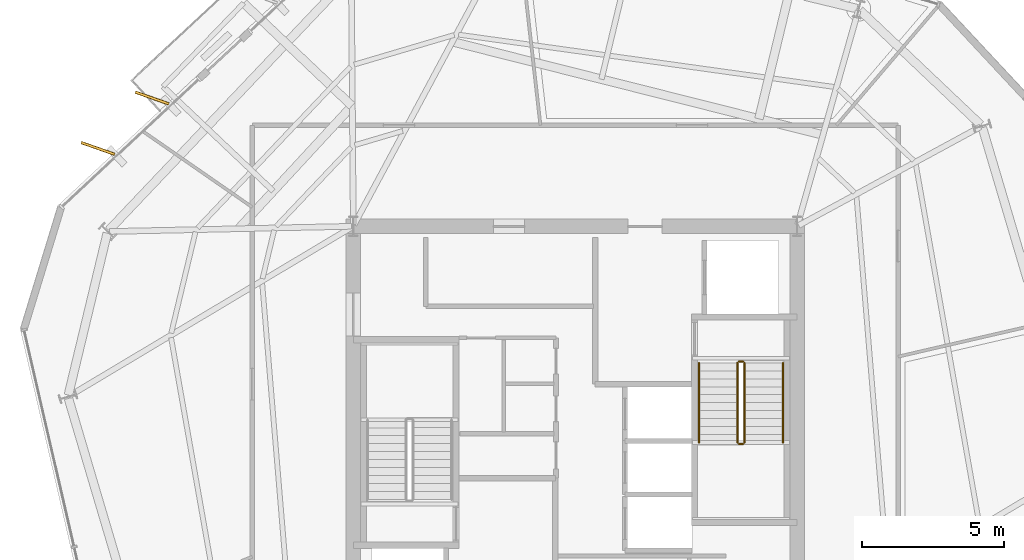
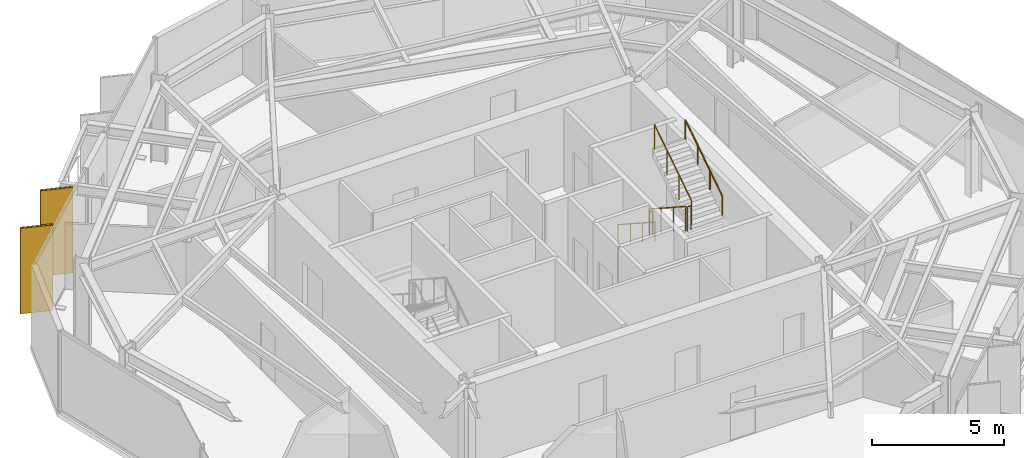
# One storey, part 10 of 11: 6 railings, 2 coverings, 2 shading devices.
"""IFC4 building model written with IfcOpenShell, lengths in metres."""

import ifcopenshell
import ifcopenshell.guid

model = None  # the IFC model being written
_history = None  # IfcOwnerHistory: only IFC2X3 demands one
_inside = {}  # id of a spatial element -> (the spatial element, [elements in it])
_under = {}  # id of a project, library or spatial element -> (it, [spatial elements below it])
_declared = {}  # id of a project -> (the project, [libraries it declares])
_typed = {}  # id of a type object -> (the type object, [elements of that type])
_made_of = {}  # id of a material, layer set ... -> (it, [elements and type objects made of it])


def new_model(schema):
    """Start an empty IFC model of exactly this schema.

    Asked for "IFC4X3", IfcOpenShell would pick the latest addendum, in which some entities
    have other attributes; the version numbers below select the first issue.
    IFC2X3 requires an IfcOwnerHistory on every rooted entity: one is made here for all.
    """
    global model, _history
    if schema == "IFC4X3":
        model = ifcopenshell.file(schema_version=(4, 3, 0, 0))
    else:
        model = ifcopenshell.file(schema=schema)
    _inside.clear()
    _under.clear()
    _declared.clear()
    _typed.clear()
    _made_of.clear()
    _history = None
    if model.schema == "IFC2X3":
        org = make("IfcOrganization", Name="unknown")
        user = make(
            "IfcPersonAndOrganization",
            ThePerson=make("IfcPerson", FamilyName="unknown"),
            TheOrganization=org,
        )
        app = make(
            "IfcApplication",
            ApplicationDeveloper=org,
            Version="unknown",
            ApplicationFullName="unknown",
            ApplicationIdentifier="unknown",
        )
        _history = make(
            "IfcOwnerHistory",
            OwningUser=user,
            OwningApplication=app,
            ChangeAction="ADDED",
            CreationDate=0,
        )
    return model


def make(cls, **values):
    """One entity of the class cls with the attributes given. An attribute that is None is left unset."""
    return model.create_entity(
        cls, **{name: value for name, value in values.items() if value is not None}
    )


def rooted(cls, **values):
    """An entity with a GlobalId (a new one), such as an element, a storey or a relation."""
    return make(cls, GlobalId=ifcopenshell.guid.new(), OwnerHistory=_history, **values)


def si_unit(unit_type, name, prefix=None):
    """IfcSIUnit, for example si_unit("LENGTHUNIT", "METRE", prefix="MILLI")."""
    return make("IfcSIUnit", UnitType=unit_type, Prefix=prefix, Name=name)


def assignment(units):
    """IfcUnitAssignment: the units of a project."""
    return None if units is None else make("IfcUnitAssignment", Units=units)


def point(xyz):
    """IfcCartesianPoint."""
    return None if xyz is None else make("IfcCartesianPoint", Coordinates=xyz)


def direction(xyz):
    """IfcDirection."""
    return None if xyz is None else make("IfcDirection", DirectionRatios=xyz)


def frame(location, z_axis=None, x_axis=None):
    """IfcAxis2Placement3D, a coordinate frame: its origin and axes. An axis left out is left unset."""
    return make(
        "IfcAxis2Placement3D",
        Location=point(location),
        Axis=direction(z_axis),
        RefDirection=direction(x_axis),
    )


def frame_2d(location, x_axis=None):
    """IfcAxis2Placement2D, a coordinate frame in the plane: its origin and x axis."""
    return make(
        "IfcAxis2Placement2D", Location=point(location), RefDirection=direction(x_axis)
    )


def origin():
    """The frame at (0, 0, 0) with its axes left unset."""
    return frame((0.0, 0.0, 0.0))


def origin_2d():
    """The frame at (0, 0) in the plane with its x axis left unset."""
    return frame_2d((0.0, 0.0))


def place(relative_to, where):
    """IfcLocalPlacement: puts the frame where relative to a parent placement (None: the world)."""
    return make(
        "IfcLocalPlacement", PlacementRelTo=relative_to, RelativePlacement=where
    )


def context(
    kind, dimensions, precision=None, world=None, true_north=None, identifier=None
):
    """IfcGeometricRepresentationContext, for example the 3D "Model" context."""
    return make(
        "IfcGeometricRepresentationContext",
        ContextIdentifier=identifier,
        ContextType=kind,
        CoordinateSpaceDimension=dimensions,
        Precision=precision,
        WorldCoordinateSystem=world,
        TrueNorth=true_north,
    )


def subcontext(parent, identifier, kind, view, scale=None):
    """IfcGeometricRepresentationSubContext, for example "Body" below "Model"."""
    return make(
        "IfcGeometricRepresentationSubContext",
        ContextIdentifier=identifier,
        ContextType=kind,
        ParentContext=parent,
        TargetScale=scale,
        TargetView=view,
    )


def project(units=None, contexts=None):
    """IfcProject with its units and contexts."""
    return rooted(
        "IfcProject",
        Name="project",
        RepresentationContexts=contexts,
        UnitsInContext=assignment(units),
    )


def spatial(cls, under=None, at=None, **own):
    """A site, building, storey or space (cls), placed at a placement, below another one or the project."""
    s = rooted(cls, ObjectPlacement=at, **own)
    if under is not None:
        _under.setdefault(under.id(), (under, []))[1].append(s)
    return s


def profile(cls, at=None, kind="AREA", **sizes):
    """A parametric profile (cls). Its sizes go by their IFC names, for example OverallWidth=200.0."""
    return make(cls, ProfileType=kind, Position=at, **sizes)


def rectangle(**sizes):
    """IfcRectangleProfileDef."""
    return profile("IfcRectangleProfileDef", **sizes)


def circle(**sizes):
    """IfcCircleProfileDef."""
    return profile("IfcCircleProfileDef", **sizes)


def extrude(swept, where, along, depth):
    """IfcExtrudedAreaSolid: the profile swept, set in the frame where, extruded along a direction by depth."""
    return make(
        "IfcExtrudedAreaSolid",
        SweptArea=swept,
        Position=where,
        ExtrudedDirection=direction(along),
        Depth=depth,
    )


def shape(context_of_items, identifier, shape_type, items):
    """IfcShapeRepresentation: the items that make up one representation, for example the "Body"."""
    return make(
        "IfcShapeRepresentation",
        ContextOfItems=context_of_items,
        RepresentationIdentifier=identifier,
        RepresentationType=shape_type,
        Items=items,
    )


def material(Name=None, Category=None):
    """IfcMaterial."""
    return make("IfcMaterial", Name=Name, Category=Category)


def layer(
    of_material, thickness, ventilated=None, Name=None, Category=None, Priority=None
):
    """IfcMaterialLayer: one layer of a wall or slab, of a material (None: an air gap)."""
    return make(
        "IfcMaterialLayer",
        Material=of_material,
        LayerThickness=thickness,
        IsVentilated=ventilated,
        Name=Name,
        Category=Category,
        Priority=Priority,
    )


def layer_set(layers, Name=None):
    """IfcMaterialLayerSet."""
    return make("IfcMaterialLayerSet", MaterialLayers=layers, LayerSetName=Name)


def made_of(thing, what):
    """Note that an element or type object is made of a material, layer set ...; save() writes the relation."""
    if what is not None:
        _made_of.setdefault(what.id(), (what, []))[1].append(thing)
    return thing


def type_object(cls, material=None, **own):
    """A type object (cls), such as IfcWallType, which elements share."""
    return made_of(rooted(cls, **own), material)


def element(
    cls,
    number,
    at=None,
    inside=None,
    cuts=None,
    type_object=None,
    material=None,
    context=None,
    identifier="Body",
    shape_type=None,
    held_by="IfcProductDefinitionShape",
    body=None,
    shapes=None,
    **own,
):
    """One element of the class cls, such as IfcWall. Its Tag is "e" and its number.

    at: its placement. inside: the storey or other place that contains it. cuts: it is an
    opening in that element (IfcRelVoidsElement). A single representation is given by context,
    identifier, shape_type and body (its items); several are given by shapes. held_by: the class
    of the entity that holds the representations. save() writes the other relations.
    """
    e = rooted(cls, Tag="e%d" % number, ObjectPlacement=at, **own)
    if body is not None:
        shapes = [shape(context, identifier, shape_type, body)]
    if shapes is not None:
        e.Representation = make(held_by, Representations=shapes)
    if inside is not None:
        _inside.setdefault(inside.id(), (inside, []))[1].append(e)
    if cuts is not None:
        rooted(
            "IfcRelVoidsElement", RelatingBuildingElement=cuts, RelatedOpeningElement=e
        )
    if type_object is not None:
        _typed.setdefault(type_object.id(), (type_object, []))[1].append(e)
    return made_of(e, material)


def aggregate(whole, parts):
    """IfcRelAggregates: a whole, such as a stair, and the parts it consists of."""
    return rooted("IfcRelAggregates", RelatingObject=whole, RelatedObjects=parts)


def save(model, path):
    """Write the relations noted so far, then the file.

    IfcRelAggregates (storeys below a building ...), IfcRelContainedInSpatialStructure (elements
    in a storey), IfcRelDefinesByType, IfcRelAssociatesMaterial and IfcRelDeclares: one each for
    every whole, place, type object, material and project.
    """
    for whole, parts in _under.values():
        aggregate(whole, parts)
    for where, things in _inside.values():
        rooted(
            "IfcRelContainedInSpatialStructure",
            RelatedElements=things,
            RelatingStructure=where,
        )
    for kind, things in _typed.values():
        rooted("IfcRelDefinesByType", RelatedObjects=things, RelatingType=kind)
    for what, things in _made_of.values():
        rooted("IfcRelAssociatesMaterial", RelatedObjects=things, RelatingMaterial=what)
    for by, libraries in _declared.values():
        rooted("IfcRelDeclares", RelatingContext=by, RelatedDefinitions=libraries)
    model.write(path)


model = new_model("IFC4")

# Units and contexts
model_context = context("Model", 3, precision=1e-05, world=origin(), true_north=direction((0.0, 1.0)))
body_context = subcontext(model_context, "Body", "Model", "MODEL_VIEW")
ifc_project = project(units=[si_unit("LENGTHUNIT", "METRE"), si_unit("AREAUNIT", "SQUARE_METRE"), si_unit("VOLUMEUNIT", "CUBIC_METRE"), si_unit("PLANEANGLEUNIT", "RADIAN"), si_unit("MASSUNIT", "GRAM", prefix="KILO")], contexts=[model_context])

# Site, building, storey
site_placement = place(None, origin())
site = spatial("IfcSite", under=ifc_project, at=site_placement, CompositionType="ELEMENT")
building_placement = place(site_placement, origin())
building = spatial("IfcBuilding", under=site, at=building_placement, Name="Kranzbogen Civic Tower", CompositionType="ELEMENT")
storey_placement = place(building_placement, frame((0.0, 0.0, 196.800048828125)))
storey = spatial("IfcBuildingStorey", under=building, at=storey_placement, Name="L47", CompositionType="ELEMENT", Elevation=196.800048828125)

# Coverings
ifc_material_1 = material(Name="Pale Anodised Aluminium", Category="aluminium")
ifc_layer = layer(ifc_material_1, 0.02490234375, Name="Pale Anodised Aluminium")
ifc_layer_set = layer_set([ifc_layer], Name="Pale Anodised Aluminium")
covering_type = type_object("IfcCoveringType", Name="Anodised Aluminium Vertical Fin Cladding 25 mm", PredefinedType="CLADDING", material=ifc_layer_set)
for number, where, z_axis, x_axis, name in (
    (1, (10.131103515625, 36.7080078125, -0.14013671875), (0.0, 0.0, 1.0), (-0.943315378056, 0.33189772148, 0.0), "L47 vertical fin pale-metal cladding F2-4"),
    (2, (8.22900390625, 34.93505859375, -0.14013671875), (0.0, 0.0, 1.0), (-0.943315378056, 0.33189772148, 0.0), "L47 vertical fin pale-metal cladding F2-5"),
):
    element("IfcCovering", number, at=place(storey_placement, frame(where, z_axis=z_axis, x_axis=x_axis)), inside=storey, type_object=covering_type, Name=name, PredefinedType="CLADDING", context=body_context, shape_type="SweptSolid", body=[
        extrude(rectangle(XDim=1.25, YDim=0.10009765625, at=origin_2d()), origin(), (0.0, 0.0, 1.0), 3.9599609375),
    ])

# Shading devices
ifc_material_2 = material(Name="Anodised Bronze Aluminium", Category="aluminium")
shading_device_type = type_object("IfcShadingDeviceType", Name="Anodised Bronze Vertical Facade Fin 1250x80", PredefinedType="USERDEFINED", material=ifc_material_2)
for number, where, z_axis, x_axis, name in (
    (3, (10.131103515625, 36.7080078125, -0.14013671875), (0.0, 0.0, 1.0), (-0.943315378056, 0.33189772148, 0.0), "L47 vertical exterior shading fin F2-4"),
    (4, (8.22900390625, 34.93505859375, -0.14013671875), (0.0, 0.0, 1.0), (-0.943315378056, 0.33189772148, 0.0), "L47 vertical exterior shading fin F2-5"),
):
    element("IfcShadingDevice", number, at=place(storey_placement, frame(where, z_axis=z_axis, x_axis=x_axis)), inside=storey, type_object=shading_device_type, Name=name, ObjectType="FIN", PredefinedType="USERDEFINED", context=body_context, shape_type="SweptSolid", body=[
        extrude(rectangle(XDim=1.25, YDim=0.080078125, at=origin_2d()), origin(), (0.0, 0.0, 1.0), 3.9599609375),
    ])

# Railings
ifc_material_3 = material(Name="Steel S355", Category="steel")
railing_type_1 = type_object("IfcRailingType", Name="Internal Stair and Void Steel Guardrail 1150", PredefinedType="GUARDRAIL", material=ifc_material_3)
railing_1_placement = place(storey_placement, frame((30.699951171875, 27.39990234375, 0.181884765625)))
element("IfcRailing", 5, at=railing_1_placement, inside=storey, type_object=railing_type_1, Name="L47 ST-T2 stair guard 1", PredefinedType="GUARDRAIL", context=body_context, shape_type="SweptSolid", body=[
    extrude(circle(Radius=0.02392578125, at=origin_2d()), frame((0.0, 0.0, 1.1259765625), z_axis=(0.0, -0.83868413941, 0.544618136222), x_axis=(1.0, 0.0, 0.0)), (0.0, 0.0, 1.0), 3.33837890625),
    extrude(circle(Radius=0.02099609375, at=origin_2d()), origin(), (0.0, 0.0, 1.0), 1.101806640625),
    extrude(circle(Radius=0.02099609375, at=origin_2d()), frame((0.0, -0.933349609375, 0.60595703125)), (0.0, 0.0, 1.0), 1.101806640625),
    extrude(circle(Radius=0.02099609375, at=origin_2d()), frame((0.0, -1.866455078125, 1.212158203125)), (0.0, 0.0, 1.0), 1.101806640625),
    extrude(circle(Radius=0.02099609375, at=origin_2d()), frame((0.0, -2.7998046875, 1.818115234375)), (0.0, 0.0, 1.0), 1.101806640625),
])
railing_2_placement = place(storey_placement, frame((30.75, 24.550048828125, 2.0)))
element("IfcRailing", 6, at=railing_2_placement, inside=storey, type_object=railing_type_1, Name="L47 ST-T2 stair guard 2", PredefinedType="GUARDRAIL", context=body_context, shape_type="SweptSolid", body=[
    extrude(circle(Radius=0.02392578125, at=origin_2d()), frame((0.0, 0.0, 1.1259765625), z_axis=(1.0, 0.0, 0.0), x_axis=(0.0, 1.0, 0.0)), (0.0, 0.0, 1.0), 0.14990234375),
    extrude(circle(Radius=0.02099609375, at=origin_2d()), origin(), (0.0, 0.0, 1.0), 1.101806640625),
    extrude(circle(Radius=0.02099609375, at=origin_2d()), frame((0.14990234375, 0.0, 0.0)), (0.0, 0.0, 1.0), 1.101806640625),
])
railing_3_placement = place(storey_placement, frame((30.949951171875, 24.60009765625, 2.181884765625)))
element("IfcRailing", 7, at=railing_3_placement, inside=storey, type_object=railing_type_1, Name="L47 ST-T2 stair guard 3", PredefinedType="GUARDRAIL", context=body_context, shape_type="SweptSolid", body=[
    extrude(circle(Radius=0.02392578125, at=origin_2d()), frame((0.0, 0.0, 1.1259765625), z_axis=(0.0, 0.83868413941, 0.544618136222), x_axis=(-1.0, 0.0, 0.0)), (0.0, 0.0, 1.0), 3.33837890625),
    extrude(circle(Radius=0.02099609375, at=origin_2d()), origin(), (0.0, 0.0, 1.0), 1.101806640625),
    extrude(circle(Radius=0.02099609375, at=origin_2d()), frame((0.0, 0.933349609375, 0.60595703125)), (0.0, 0.0, 1.0), 1.101806640625),
    extrude(circle(Radius=0.02099609375, at=origin_2d()), frame((0.0, 1.866455078125, 1.212158203125)), (0.0, 0.0, 1.0), 1.101806640625),
    extrude(circle(Radius=0.02099609375, at=origin_2d()), frame((0.0, 2.7998046875, 1.818115234375)), (0.0, 0.0, 1.0), 1.101806640625),
])
railing_4_placement = place(storey_placement, frame((30.75, 27.449951171875, 0.0)))
element("IfcRailing", 8, at=railing_4_placement, inside=storey, type_object=railing_type_1, Name="L47 ST-T2 stair guard 4", PredefinedType="GUARDRAIL", context=body_context, shape_type="SweptSolid", body=[
    extrude(circle(Radius=0.02392578125, at=origin_2d()), frame((0.0, 0.0, 1.1259765625), z_axis=(1.0, 0.0, 0.0), x_axis=(0.0, 1.0, 0.0)), (0.0, 0.0, 1.0), 0.14990234375),
    extrude(circle(Radius=0.02099609375, at=origin_2d()), origin(), (0.0, 0.0, 1.0), 1.101806640625),
    extrude(circle(Radius=0.02099609375, at=origin_2d()), frame((0.14990234375, 0.0, 0.0)), (0.0, 0.0, 1.0), 1.101806640625),
])
railing_type_2 = type_object("IfcRailingType", Name="Tubular Stainless Stair Wall Handrail 900", PredefinedType="HANDRAIL", material=ifc_material_1)
railing_5_placement = place(storey_placement, frame((29.35009765625, 27.39990234375, 0.181884765625)))
element("IfcRailing", 9, at=railing_5_placement, inside=storey, type_object=railing_type_2, Name="L47 ST-T2 stair handrail 1", PredefinedType="HANDRAIL", context=body_context, shape_type="SweptSolid", body=[
    extrude(circle(Radius=0.02392578125, at=origin_2d()), frame((0.0, 0.0, 0.8759765625), z_axis=(0.0, -0.83868413941, 0.544618136222), x_axis=(1.0, 0.0, 0.0)), (0.0, 0.0, 1.0), 3.33837890625),
    extrude(circle(Radius=0.02099609375, at=origin_2d()), origin(), (0.0, 0.0, 1.0), 0.851806640625),
    extrude(circle(Radius=0.02099609375, at=origin_2d()), frame((0.0, -0.933349609375, 0.60595703125)), (0.0, 0.0, 1.0), 0.851806640625),
    extrude(circle(Radius=0.02099609375, at=origin_2d()), frame((0.0, -1.866455078125, 1.212158203125)), (0.0, 0.0, 1.0), 0.851806640625),
    extrude(circle(Radius=0.02099609375, at=origin_2d()), frame((0.0, -2.7998046875, 1.818115234375)), (0.0, 0.0, 1.0), 0.851806640625),
])
railing_6_placement = place(storey_placement, frame((32.300048828125, 24.60009765625, 2.181884765625)))
element("IfcRailing", 10, at=railing_6_placement, inside=storey, type_object=railing_type_2, Name="L47 ST-T2 stair handrail 2", PredefinedType="HANDRAIL", context=body_context, shape_type="SweptSolid", body=[
    extrude(circle(Radius=0.02392578125, at=origin_2d()), frame((0.0, 0.0, 0.8759765625), z_axis=(0.0, 0.83868413941, 0.544618136222), x_axis=(-1.0, 0.0, 0.0)), (0.0, 0.0, 1.0), 3.33837890625),
    extrude(circle(Radius=0.02099609375, at=origin_2d()), origin(), (0.0, 0.0, 1.0), 0.851806640625),
    extrude(circle(Radius=0.02099609375, at=origin_2d()), frame((0.0, 0.933349609375, 0.60595703125)), (0.0, 0.0, 1.0), 0.851806640625),
    extrude(circle(Radius=0.02099609375, at=origin_2d()), frame((0.0, 1.866455078125, 1.212158203125)), (0.0, 0.0, 1.0), 0.851806640625),
    extrude(circle(Radius=0.02099609375, at=origin_2d()), frame((0.0, 2.7998046875, 1.818115234375)), (0.0, 0.0, 1.0), 0.851806640625),
])

save(model, "model.ifc")
